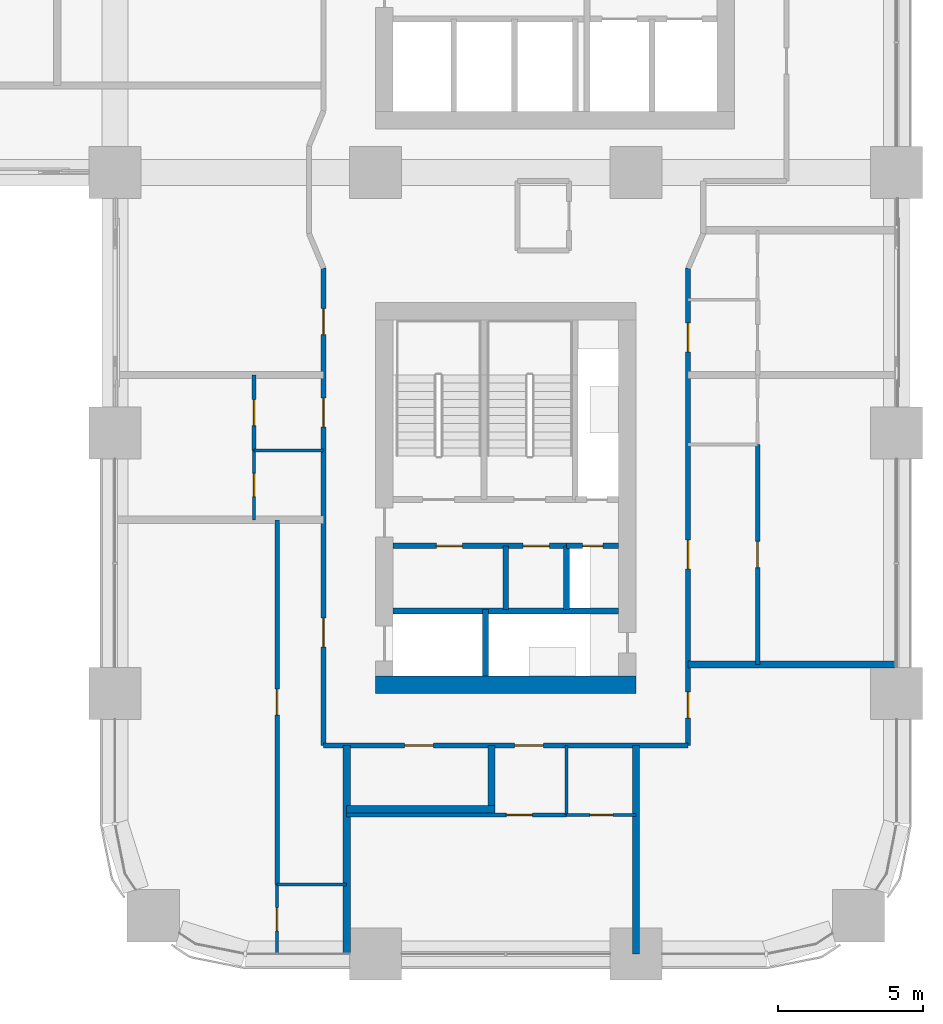
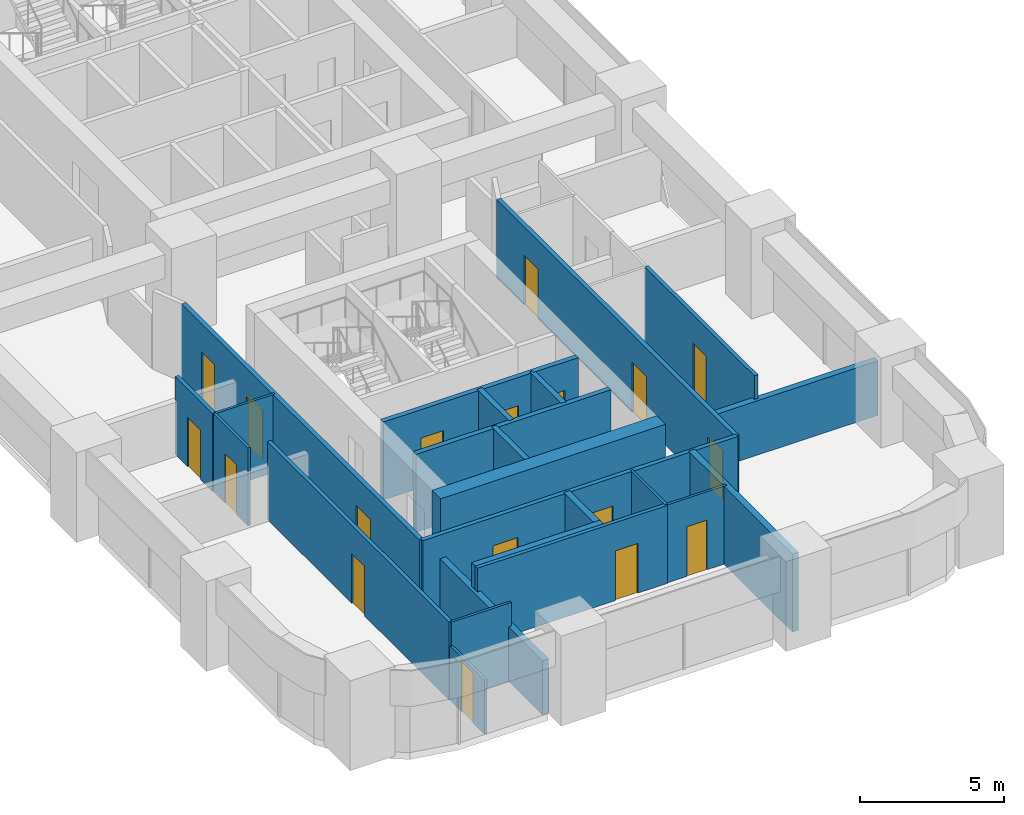
# One storey, part 13 of 20: 25 walls, 18 doors, 18 openings.
"""IFC4 building model written with IfcOpenShell, lengths in metres."""

from ifc_helpers import new_model, si_unit, direction, frame, frame_2d, origin, place, context, subcontext, project, spatial, rectangle, extrude, material, layer, layer_set, type_object, element, fill, save


model = new_model("IFC4")

# Units and contexts
model_context = context("Model", 3, precision=1e-05, world=origin(), true_north=direction((0.0, 1.0)))
body_context = subcontext(model_context, "Body", "Model", "MODEL_VIEW")
ifc_project = project(units=[si_unit("LENGTHUNIT", "METRE"), si_unit("AREAUNIT", "SQUARE_METRE"), si_unit("VOLUMEUNIT", "CUBIC_METRE"), si_unit("PLANEANGLEUNIT", "RADIAN"), si_unit("MASSUNIT", "GRAM", prefix="KILO")], contexts=[model_context])

# Site, building, storey
site_placement = place(None, origin())
site = spatial("IfcSite", under=ifc_project, at=site_placement, CompositionType="ELEMENT")
building_placement = place(site_placement, origin())
building = spatial("IfcBuilding", under=site, at=building_placement, Name="Tessera Arch", CompositionType="ELEMENT")
storey_placement = place(building_placement, frame((0.0, 0.0, 119.60009765625)))
storey = spatial("IfcBuildingStorey", under=building, at=storey_placement, Name="L28", CompositionType="ELEMENT", Elevation=119.60009765625)

# Wall
ifc_material_1 = material(Name="Gypsum board on steel stud", Category="steel")
ifc_layer_1 = layer(ifc_material_1, 0.125)
ifc_layer_set_1 = layer_set([ifc_layer_1], Name="Core partition 125 EI 60")
wall_type_1 = type_object("IfcWallType", Name="Core partition 125 EI 60", PredefinedType="PARTITIONING", material=ifc_layer_set_1)
wall_1_placement = place(storey_placement, frame((40.5, 11.89990234375, 0.0), z_axis=(0.0, 0.0, 1.0), x_axis=(0.0, 1.0, 0.0)))
element("IfcWall", 1, at=wall_1_placement, inside=storey, type_object=wall_type_1, Name="L28 C3 partition wall 4", PredefinedType="PARTITIONING", context=body_context, shape_type="SweptSolid", body=[
    extrude(rectangle(XDim=2.2001953125, YDim=0.199951171875, at=frame_2d((1.10009765625, 0.0))), origin(), (0.0, 0.0, 1.0), 3.2998046875),
])

# Wall, openings, doors
wall_2_placement = place(storey_placement, frame((36.60009765625, 14.10009765625, 0.0), z_axis=(0.0, 0.0, 1.0), x_axis=(1.0, 0.0, 0.0)))
wall_2 = element("IfcWall", 2, at=wall_2_placement, inside=storey, type_object=wall_type_1, Name="L28 C3 partition wall 9", PredefinedType="PARTITIONING", context=body_context, shape_type="SweptSolid", body=[
    extrude(rectangle(XDim=6.0, YDim=0.199951171875, at=frame_2d((3.0, 0.0))), origin(), (0.0, 0.0, 1.0), 3.2998046875),
])
opening_1_placement = place(wall_2_placement, frame((1.5, 0.0, 0.0)))
opening_1 = element("IfcOpeningElement", 3, at=opening_1_placement, cuts=wall_2, Name="Opening L28-C40", PredefinedType="OPENING", context=body_context, shape_type="SweptSolid", body=[
    extrude(rectangle(XDim=0.89990234375, YDim=2.10009765625, at=frame_2d((0.449951171875, 1.050048828125))), frame((0.0, 0.10986328125, 0.0), z_axis=(0.0, -1.0, 0.0), x_axis=(1.0, 0.0, 0.0)), (0.0, 0.0, 1.0), 0.219970703125),
])
opening_2_placement = place(wall_2_placement, frame((4.5, 0.0, 0.0)))
opening_2 = element("IfcOpeningElement", 4, at=opening_2_placement, cuts=wall_2, Name="Opening L28-C41", PredefinedType="OPENING", context=body_context, shape_type="SweptSolid", body=[
    extrude(rectangle(XDim=0.89990234375, YDim=2.10009765625, at=frame_2d((0.449951171875, 1.050048828125))), frame((0.0, 0.10986328125, 0.0), z_axis=(0.0, -1.0, 0.0), x_axis=(1.0, 0.0, 0.0)), (0.0, 0.0, 1.0), 0.219970703125),
])
ifc_material_2 = material(Name="Steel door leaf", Category="steel")
door_type_1 = type_object("IfcDoorType", Name="Store door FD30S 900 x 2100", OperationType="SINGLE_SWING_LEFT", PredefinedType="DOOR", material=ifc_material_2)
door_1_placement = place(opening_1_placement, origin())
door_1 = element("IfcDoor", 5, at=door_1_placement, inside=storey, type_object=door_type_1, Name="L28 C3 door 8 C40 type D09", OperationType="SINGLE_SWING_LEFT", OverallHeight=2.10009765625, OverallWidth=0.89990234375, PredefinedType="DOOR", context=body_context, shape_type="SweptSolid", body=[
    extrude(rectangle(XDim=0.89990234375, YDim=2.10009765625, at=frame_2d((0.449951171875, 1.050048828125))), frame((0.0, 0.02490234375, 0.0), z_axis=(0.0, -1.0, 0.0), x_axis=(1.0, 0.0, 0.0)), (0.0, 0.0, 1.0), 0.050048828125),
])
fill(opening_1, door_1)
door_2_placement = place(opening_2_placement, origin())
door_2 = element("IfcDoor", 6, at=door_2_placement, inside=storey, type_object=door_type_1, Name="L28 C3 door 9 C41 type D09", OperationType="SINGLE_SWING_RIGHT", OverallHeight=2.10009765625, OverallWidth=0.89990234375, PredefinedType="DOOR", context=body_context, shape_type="SweptSolid", body=[
    extrude(rectangle(XDim=0.89990234375, YDim=2.10009765625, at=frame_2d((0.449951171875, 1.050048828125))), frame((0.0, 0.02490234375, 0.0), z_axis=(0.0, -1.0, 0.0), x_axis=(1.0, 0.0, 0.0)), (0.0, 0.0, 1.0), 0.050048828125),
])
fill(opening_2, door_2)

# Wall
ifc_material_3 = material(Name="Concrete C70/85", Category="concrete")
ifc_layer_2 = layer(ifc_material_3, 0.60009765625)
ifc_layer_set_2 = layer_set([ifc_layer_2], Name="Core shell wall 600 C70-85")
wall_type_2 = type_object("IfcWallType", Name="Core shell wall 600 C70-85", PredefinedType="SHEAR", material=ifc_layer_set_2)
wall_3_placement = place(storey_placement, frame((36.0, 9.300048828125, 0.0), z_axis=(0.0, 0.0, 1.0), x_axis=(1.0, 0.0, 0.0)))
element("IfcWall", 7, at=wall_3_placement, inside=storey, type_object=wall_type_2, Name="L28 C3 core wall S", PredefinedType="SHEAR", context=body_context, shape_type="SweptSolid", body=[
    extrude(rectangle(XDim=9.0, YDim=0.60009765625, at=frame_2d((4.5, 0.0))), origin(), (0.0, 0.0, 1.0), 3.2998046875),
])

# Wall, openings, doors
ifc_material_4 = material(Name="Gypsum board on deep steel stud with mineral wool", Category="steel")
ifc_layer_3 = layer(ifc_material_4, 0.175048828125)
ifc_layer_set_3 = layer_set([ifc_layer_3], Name="Corridor wall 175 EI 60")
wall_type_3 = type_object("IfcWallType", Name="Corridor wall 175 EI 60", PredefinedType="PARTITIONING", material=ifc_layer_set_3)
wall_4_placement = place(storey_placement, frame((34.199951171875, 7.199951171875, 0.0), z_axis=(0.0, 0.0, 1.0), x_axis=(1.0, 0.0, 0.0)))
wall_4 = element("IfcWall", 8, at=wall_4_placement, inside=storey, type_object=wall_type_3, Name="L28 partition 1", PredefinedType="PARTITIONING", context=body_context, shape_type="SweptSolid", body=[
    extrude(rectangle(XDim=12.60009765625, YDim=0.175048828125, at=frame_2d((6.300048828125, 0.0))), origin(), (0.0, 0.0, 1.0), 3.2998046875),
])
opening_3_placement = place(wall_4_placement, frame((6.60009765625, 0.0, 0.0)))
opening_3 = element("IfcOpeningElement", 9, at=opening_3_placement, cuts=wall_4, Name="Opening L28-D001", PredefinedType="OPENING", context=body_context, shape_type="SweptSolid", body=[
    extrude(rectangle(XDim=1.0, YDim=2.10009765625, at=frame_2d((0.5, 1.050048828125))), frame((0.0, 0.097412109375, 0.0), z_axis=(0.0, -1.0, 0.0), x_axis=(1.0, 0.0, 0.0)), (0.0, 0.0, 1.0), 0.195068359375),
])
opening_4_placement = place(wall_4_placement, frame((2.800048828125, 0.0, 0.0)))
opening_4 = element("IfcOpeningElement", 10, at=opening_4_placement, cuts=wall_4, Name="Opening L28-D005", PredefinedType="OPENING", context=body_context, shape_type="SweptSolid", body=[
    extrude(rectangle(XDim=1.0, YDim=2.10009765625, at=frame_2d((0.5, 1.050048828125))), frame((0.0, 0.097412109375, 0.0), z_axis=(0.0, -1.0, 0.0), x_axis=(1.0, 0.0, 0.0)), (0.0, 0.0, 1.0), 0.195068359375),
])
ifc_material_5 = material(Name="Fire-rated door leaf")
door_type_2 = type_object("IfcDoorType", Name="Entrance door FD30S 1000 x 2100", OperationType="SINGLE_SWING_LEFT", PredefinedType="DOOR", material=ifc_material_5)
door_3_placement = place(opening_3_placement, origin())
door_3 = element("IfcDoor", 11, at=door_3_placement, inside=storey, type_object=door_type_2, Name="L28 door D001 type D03", OperationType="SINGLE_SWING_RIGHT", OverallHeight=2.10009765625, OverallWidth=1.0, PredefinedType="DOOR", context=body_context, shape_type="SweptSolid", body=[
    extrude(rectangle(XDim=1.0, YDim=2.10009765625, at=frame_2d((0.5, 1.050048828125))), frame((0.0, 0.02490234375, 0.0), z_axis=(0.0, -1.0, 0.0), x_axis=(1.0, 0.0, 0.0)), (0.0, 0.0, 1.0), 0.050048828125),
])
fill(opening_3, door_3)
door_4_placement = place(opening_4_placement, origin())
door_4 = element("IfcDoor", 12, at=door_4_placement, inside=storey, type_object=door_type_2, Name="L28 door D005 type D03", OperationType="SINGLE_SWING_RIGHT", OverallHeight=2.10009765625, OverallWidth=1.0, PredefinedType="DOOR", context=body_context, shape_type="SweptSolid", body=[
    extrude(rectangle(XDim=1.0, YDim=2.10009765625, at=frame_2d((0.5, 1.050048828125))), frame((0.0, 0.02490234375, 0.0), z_axis=(0.0, -1.0, 0.0), x_axis=(1.0, 0.0, 0.0)), (0.0, 0.0, 1.0), 0.050048828125),
])
fill(opening_4, door_4)

wall_5_placement = place(storey_placement, frame((34.199951171875, 7.199951171875, 0.0), z_axis=(0.0, 0.0, 1.0), x_axis=(0.0, 1.0, 0.0)))
wall_5 = element("IfcWall", 13, at=wall_5_placement, inside=storey, type_object=wall_type_3, Name="L28 partition 15", PredefinedType="PARTITIONING", context=body_context, shape_type="SweptSolid", body=[
    extrude(rectangle(XDim=16.489990234375, YDim=0.175048828125, at=frame_2d((8.2451171875, 0.0))), origin(), (0.0, 0.0, 1.0), 3.2998046875),
])
opening_5_placement = place(wall_5_placement, frame((3.39990234375, 0.0, 0.0)))
opening_5 = element("IfcOpeningElement", 14, at=opening_5_placement, cuts=wall_5, Name="Opening L28-D006", PredefinedType="OPENING", context=body_context, shape_type="SweptSolid", body=[
    extrude(rectangle(XDim=1.0, YDim=2.10009765625, at=frame_2d((0.5, 1.050048828125))), frame((0.0, 0.097412109375, 0.0), z_axis=(0.0, -1.0, 0.0), x_axis=(1.0, 0.0, 0.0)), (0.0, 0.0, 1.0), 0.195068359375),
])
opening_6_placement = place(wall_5_placement, frame((11.0, 0.0, 0.0)))
opening_6 = element("IfcOpeningElement", 15, at=opening_6_placement, cuts=wall_5, Name="Opening L28-D012", PredefinedType="OPENING", context=body_context, shape_type="SweptSolid", body=[
    extrude(rectangle(XDim=1.0, YDim=2.10009765625, at=frame_2d((0.5, 1.050048828125))), frame((0.0, 0.097412109375, 0.0), z_axis=(0.0, -1.0, 0.0), x_axis=(1.0, 0.0, 0.0)), (0.0, 0.0, 1.0), 0.195068359375),
])
opening_7_placement = place(wall_5_placement, frame((14.195068359375, 0.0, 0.0)))
opening_7 = element("IfcOpeningElement", 16, at=opening_7_placement, cuts=wall_5, Name="Opening L28-D019", PredefinedType="OPENING", context=body_context, shape_type="SweptSolid", body=[
    extrude(rectangle(XDim=0.89990234375, YDim=2.10009765625, at=frame_2d((0.449951171875, 1.050048828125))), frame((0.0, 0.097412109375, 0.0), z_axis=(0.0, -1.0, 0.0), x_axis=(1.0, 0.0, 0.0)), (0.0, 0.0, 1.0), 0.195068359375),
])
door_5_placement = place(opening_5_placement, origin())
door_5 = element("IfcDoor", 17, at=door_5_placement, inside=storey, type_object=door_type_2, Name="L28 door D006 type D03", OperationType="SINGLE_SWING_RIGHT", OverallHeight=2.10009765625, OverallWidth=1.0, PredefinedType="DOOR", context=body_context, shape_type="SweptSolid", body=[
    extrude(rectangle(XDim=1.0, YDim=2.10009765625, at=frame_2d((0.5, 1.050048828125))), frame((0.0, 0.02490234375, 0.0), z_axis=(0.0, -1.0, 0.0), x_axis=(1.0, 0.0, 0.0)), (0.0, 0.0, 1.0), 0.050048828125),
])
fill(opening_5, door_5)
door_6_placement = place(opening_6_placement, origin())
door_6 = element("IfcDoor", 18, at=door_6_placement, inside=storey, type_object=door_type_2, Name="L28 door D012 type D03", OperationType="SINGLE_SWING_RIGHT", OverallHeight=2.10009765625, OverallWidth=1.0, PredefinedType="DOOR", context=body_context, shape_type="SweptSolid", body=[
    extrude(rectangle(XDim=1.0, YDim=2.10009765625, at=frame_2d((0.5, 1.050048828125))), frame((0.0, 0.02490234375, 0.0), z_axis=(0.0, -1.0, 0.0), x_axis=(1.0, 0.0, 0.0)), (0.0, 0.0, 1.0), 0.050048828125),
])
fill(opening_6, door_6)
ifc_material_6 = material(Name="Timber door leaf", Category="wood")
door_type_3 = type_object("IfcDoorType", Name="Room door 900 x 2100", OperationType="SINGLE_SWING_LEFT", PredefinedType="DOOR", material=ifc_material_6)
door_7_placement = place(opening_7_placement, origin())
door_7 = element("IfcDoor", 19, at=door_7_placement, inside=storey, type_object=door_type_3, Name="L28 door D019 type D01", OperationType="SINGLE_SWING_LEFT", OverallHeight=2.10009765625, OverallWidth=0.89990234375, PredefinedType="DOOR", context=body_context, shape_type="SweptSolid", body=[
    extrude(rectangle(XDim=0.89990234375, YDim=2.10009765625, at=frame_2d((0.449951171875, 1.050048828125))), frame((0.0, 0.02490234375, 0.0), z_axis=(0.0, -1.0, 0.0), x_axis=(1.0, 0.0, 0.0)), (0.0, 0.0, 1.0), 0.050048828125),
])
fill(opening_7, door_7)

wall_6_placement = place(storey_placement, frame((46.800048828125, 7.199951171875, 0.0), z_axis=(0.0, 0.0, 1.0), x_axis=(0.0, 1.0, 0.0)))
wall_6 = element("IfcWall", 20, at=wall_6_placement, inside=storey, type_object=wall_type_3, Name="L28 partition 20", PredefinedType="PARTITIONING", context=body_context, shape_type="SweptSolid", body=[
    extrude(rectangle(XDim=16.489990234375, YDim=0.175048828125, at=frame_2d((8.2451171875, 0.0))), origin(), (0.0, 0.0, 1.0), 3.2998046875),
])
opening_8_placement = place(wall_6_placement, frame((0.949951171875, 0.0, 0.0)))
opening_8 = element("IfcOpeningElement", 21, at=opening_8_placement, cuts=wall_6, Name="Opening L28-D004", PredefinedType="OPENING", context=body_context, shape_type="SweptSolid", body=[
    extrude(rectangle(XDim=0.89990234375, YDim=2.10009765625, at=frame_2d((0.449951171875, 1.050048828125))), frame((0.0, 0.097412109375, 0.0), z_axis=(0.0, -1.0, 0.0), x_axis=(1.0, 0.0, 0.0)), (0.0, 0.0, 1.0), 0.195068359375),
])
opening_9_placement = place(wall_6_placement, frame((6.10009765625, 0.0, 0.0)))
opening_9 = element("IfcOpeningElement", 22, at=opening_9_placement, cuts=wall_6, Name="Opening L28-D009", PredefinedType="OPENING", context=body_context, shape_type="SweptSolid", body=[
    extrude(rectangle(XDim=1.0, YDim=2.10009765625, at=frame_2d((0.5, 1.050048828125))), frame((0.0, 0.097412109375, 0.0), z_axis=(0.0, -1.0, 0.0), x_axis=(1.0, 0.0, 0.0)), (0.0, 0.0, 1.0), 0.195068359375),
])
opening_10_placement = place(wall_6_placement, frame((13.60009765625, 0.0, 0.0)))
opening_10 = element("IfcOpeningElement", 23, at=opening_10_placement, cuts=wall_6, Name="Opening L28-D015", PredefinedType="OPENING", context=body_context, shape_type="SweptSolid", body=[
    extrude(rectangle(XDim=1.0, YDim=2.10009765625, at=frame_2d((0.5, 1.050048828125))), frame((0.0, 0.097412109375, 0.0), z_axis=(0.0, -1.0, 0.0), x_axis=(1.0, 0.0, 0.0)), (0.0, 0.0, 1.0), 0.195068359375),
])
door_8_placement = place(opening_9_placement, origin())
door_8 = element("IfcDoor", 24, at=door_8_placement, inside=storey, type_object=door_type_2, Name="L28 door D009 type D03", OperationType="SINGLE_SWING_RIGHT", OverallHeight=2.10009765625, OverallWidth=1.0, PredefinedType="DOOR", context=body_context, shape_type="SweptSolid", body=[
    extrude(rectangle(XDim=1.0, YDim=2.10009765625, at=frame_2d((0.5, 1.050048828125))), frame((0.0, 0.02490234375, 0.0), z_axis=(0.0, -1.0, 0.0), x_axis=(1.0, 0.0, 0.0)), (0.0, 0.0, 1.0), 0.050048828125),
])
fill(opening_9, door_8)
door_9_placement = place(opening_10_placement, origin())
door_9 = element("IfcDoor", 25, at=door_9_placement, inside=storey, type_object=door_type_2, Name="L28 door D015 type D03", OperationType="SINGLE_SWING_RIGHT", OverallHeight=2.10009765625, OverallWidth=1.0, PredefinedType="DOOR", context=body_context, shape_type="SweptSolid", body=[
    extrude(rectangle(XDim=1.0, YDim=2.10009765625, at=frame_2d((0.5, 1.050048828125))), frame((0.0, 0.02490234375, 0.0), z_axis=(0.0, -1.0, 0.0), x_axis=(1.0, 0.0, 0.0)), (0.0, 0.0, 1.0), 0.050048828125),
])
fill(opening_10, door_9)
door_10_placement = place(opening_8_placement, origin())
door_10 = element("IfcDoor", 26, at=door_10_placement, inside=storey, type_object=door_type_3, Name="L28 door D004 type D01", OperationType="SINGLE_SWING_LEFT", OverallHeight=2.10009765625, OverallWidth=0.89990234375, PredefinedType="DOOR", context=body_context, shape_type="SweptSolid", body=[
    extrude(rectangle(XDim=0.89990234375, YDim=2.10009765625, at=frame_2d((0.449951171875, 1.050048828125))), frame((0.0, 0.02490234375, 0.0), z_axis=(0.0, -1.0, 0.0), x_axis=(1.0, 0.0, 0.0)), (0.0, 0.0, 1.0), 0.050048828125),
])
fill(opening_8, door_10)

# Wall, opening, door
ifc_material_7 = material(Name="Gypsum board on steel stud", Category="steel")
ifc_layer_4 = layer(ifc_material_7, 0.14990234375)
ifc_layer_set_4 = layer_set([ifc_layer_4], Name="Partition 150")
wall_type_4 = type_object("IfcWallType", Name="Partition 150", PredefinedType="PARTITIONING", material=ifc_layer_set_4)
wall_7_placement = place(storey_placement, frame((35.0, 4.800048828125, 0.0), z_axis=(0.0, 0.0, 1.0), x_axis=(1.0, 0.0, 0.0)))
wall_7 = element("IfcWall", 27, at=wall_7_placement, inside=storey, type_object=wall_type_4, Name="L28 partition 23", PredefinedType="PARTITIONING", context=body_context, shape_type="SweptSolid", body=[
    extrude(rectangle(XDim=7.60009765625, YDim=0.14990234375, at=frame_2d((3.800048828125, 0.0))), origin(), (0.0, 0.0, 1.0), 3.2998046875),
])
opening_11_placement = place(wall_7_placement, frame((5.52001953125, 0.0, 0.0)))
opening_11 = element("IfcOpeningElement", 28, at=opening_11_placement, cuts=wall_7, Name="Opening L28-D002", PredefinedType="OPENING", context=body_context, shape_type="SweptSolid", body=[
    extrude(rectangle(XDim=0.89990234375, YDim=2.10009765625, at=frame_2d((0.449951171875, 1.050048828125))), frame((0.0, 0.0849609375, 0.0), z_axis=(0.0, -1.0, 0.0), x_axis=(1.0, 0.0, 0.0)), (0.0, 0.0, 1.0), 0.169921875),
])
door_11_placement = place(opening_11_placement, origin())
door_11 = element("IfcDoor", 29, at=door_11_placement, inside=storey, type_object=door_type_3, Name="L28 door D002 type D01", OperationType="SINGLE_SWING_LEFT", OverallHeight=2.10009765625, OverallWidth=0.89990234375, PredefinedType="DOOR", context=body_context, shape_type="SweptSolid", body=[
    extrude(rectangle(XDim=0.89990234375, YDim=2.10009765625, at=frame_2d((0.449951171875, 1.050048828125))), frame((0.0, 0.02490234375, 0.0), z_axis=(0.0, -1.0, 0.0), x_axis=(1.0, 0.0, 0.0)), (0.0, 0.0, 1.0), 0.050048828125),
])
fill(opening_11, door_11)

wall_8_placement = place(storey_placement, frame((31.800048828125, 17.39990234375, 0.0), z_axis=(0.0, 0.0, 1.0), x_axis=(0.0, 1.0, 0.0)))
wall_8 = element("IfcWall", 30, at=wall_8_placement, inside=storey, type_object=wall_type_4, Name="L28 partition 24", PredefinedType="PARTITIONING", context=body_context, shape_type="SweptSolid", body=[
    extrude(rectangle(XDim=2.60009765625, YDim=0.14990234375, at=frame_2d((1.300048828125, 0.0))), origin(), (0.0, 0.0, 1.0), 3.2998046875),
])
opening_12_placement = place(wall_8_placement, frame((0.85009765625, 0.0, 0.0)))
opening_12 = element("IfcOpeningElement", 31, at=opening_12_placement, cuts=wall_8, Name="Opening L28-D013", PredefinedType="OPENING", context=body_context, shape_type="SweptSolid", body=[
    extrude(rectangle(XDim=0.89990234375, YDim=2.10009765625, at=frame_2d((0.449951171875, 1.050048828125))), frame((0.0, 0.0849609375, 0.0), z_axis=(0.0, -1.0, 0.0), x_axis=(1.0, 0.0, 0.0)), (0.0, 0.0, 1.0), 0.169921875),
])
door_12_placement = place(opening_12_placement, origin())
door_12 = element("IfcDoor", 32, at=door_12_placement, inside=storey, type_object=door_type_3, Name="L28 door D013 type D01", OperationType="SINGLE_SWING_LEFT", OverallHeight=2.10009765625, OverallWidth=0.89990234375, PredefinedType="DOOR", context=body_context, shape_type="SweptSolid", body=[
    extrude(rectangle(XDim=0.89990234375, YDim=2.10009765625, at=frame_2d((0.449951171875, 1.050048828125))), frame((0.0, 0.02490234375, 0.0), z_axis=(0.0, -1.0, 0.0), x_axis=(1.0, 0.0, 0.0)), (0.0, 0.0, 1.0), 0.050048828125),
])
fill(opening_12, door_12)

wall_9_placement = place(storey_placement, frame((32.60009765625, 2.39990234375, 0.0), z_axis=(0.0, 0.0, 1.0), x_axis=(0.0, 1.0, 0.0)))
wall_9 = element("IfcWall", 33, at=wall_9_placement, inside=storey, type_object=wall_type_4, Name="L28 partition 25", PredefinedType="PARTITIONING", context=body_context, shape_type="SweptSolid", body=[
    extrude(rectangle(XDim=12.60009765625, YDim=0.14990234375, at=frame_2d((6.300048828125, 0.0))), origin(), (0.0, 0.0, 1.0), 3.2998046875),
])
opening_13_placement = place(wall_9_placement, frame((5.85009765625, 0.0, 0.0)))
opening_13 = element("IfcOpeningElement", 34, at=opening_13_placement, cuts=wall_9, Name="Opening L28-D007", PredefinedType="OPENING", context=body_context, shape_type="SweptSolid", body=[
    extrude(rectangle(XDim=0.89990234375, YDim=2.10009765625, at=frame_2d((0.449951171875, 1.050048828125))), frame((0.0, 0.0849609375, 0.0), z_axis=(0.0, -1.0, 0.0), x_axis=(1.0, 0.0, 0.0)), (0.0, 0.0, 1.0), 0.169921875),
])
door_13_placement = place(opening_13_placement, origin())
door_13 = element("IfcDoor", 35, at=door_13_placement, inside=storey, type_object=door_type_3, Name="L28 door D007 type D01", OperationType="SINGLE_SWING_LEFT", OverallHeight=2.10009765625, OverallWidth=0.89990234375, PredefinedType="DOOR", context=body_context, shape_type="SweptSolid", body=[
    extrude(rectangle(XDim=0.89990234375, YDim=2.10009765625, at=frame_2d((0.449951171875, 1.050048828125))), frame((0.0, 0.02490234375, 0.0), z_axis=(0.0, -1.0, 0.0), x_axis=(1.0, 0.0, 0.0)), (0.0, 0.0, 1.0), 0.050048828125),
])
fill(opening_13, door_13)

wall_10_placement = place(storey_placement, frame((49.199951171875, 10.0, 0.0), z_axis=(0.0, 0.0, 1.0), x_axis=(0.0, 1.0, 0.0)))
wall_10 = element("IfcWall", 36, at=wall_10_placement, inside=storey, type_object=wall_type_4, Name="L28 partition 26", PredefinedType="PARTITIONING", context=body_context, shape_type="SweptSolid", body=[
    extrude(rectangle(XDim=7.60009765625, YDim=0.14990234375, at=frame_2d((3.800048828125, 0.0))), origin(), (0.0, 0.0, 1.0), 3.2998046875),
])
opening_14_placement = place(wall_10_placement, frame((3.35009765625, 0.0, 0.0)))
opening_14 = element("IfcOpeningElement", 37, at=opening_14_placement, cuts=wall_10, Name="Opening L28-D010", PredefinedType="OPENING", context=body_context, shape_type="SweptSolid", body=[
    extrude(rectangle(XDim=0.89990234375, YDim=2.10009765625, at=frame_2d((0.449951171875, 1.050048828125))), frame((0.0, 0.0849609375, 0.0), z_axis=(0.0, -1.0, 0.0), x_axis=(1.0, 0.0, 0.0)), (0.0, 0.0, 1.0), 0.169921875),
])
door_14_placement = place(opening_14_placement, origin())
door_14 = element("IfcDoor", 38, at=door_14_placement, inside=storey, type_object=door_type_3, Name="L28 door D010 type D01", OperationType="SINGLE_SWING_LEFT", OverallHeight=2.10009765625, OverallWidth=0.89990234375, PredefinedType="DOOR", context=body_context, shape_type="SweptSolid", body=[
    extrude(rectangle(XDim=0.89990234375, YDim=2.10009765625, at=frame_2d((0.449951171875, 1.050048828125))), frame((0.0, 0.02490234375, 0.0), z_axis=(0.0, -1.0, 0.0), x_axis=(1.0, 0.0, 0.0)), (0.0, 0.0, 1.0), 0.050048828125),
])
fill(opening_14, door_14)

# Walls
ifc_material_8 = material(Name="Double gypsum board on twin steel stud with acoustic mineral wool", Category="steel")
ifc_layer_5 = layer(ifc_material_8, 0.25)
ifc_layer_set_5 = layer_set([ifc_layer_5], Name="Party wall 250 EI 60")
wall_type_5 = type_object("IfcWallType", Name="Party wall 250 EI 60", PredefinedType="PARTITIONING", material=ifc_layer_set_5)
wall_11_placement = place(storey_placement, frame((35.0, 5.0, 0.0), z_axis=(0.0, 0.0, 1.0), x_axis=(1.0, 0.0, 0.0)))
element("IfcWall", 39, at=wall_11_placement, inside=storey, type_object=wall_type_5, Name="L28 partition 28", PredefinedType="PARTITIONING", context=body_context, shape_type="SweptSolid", body=[
    extrude(rectangle(XDim=5.125, YDim=0.25, at=frame_2d((2.5625, 0.0))), origin(), (0.0, 0.0, 1.0), 3.2998046875),
])
for number, where, z_axis, x_axis, name in (
    (40, (46.800048828125, 10.0, 0.0), (0.0, 0.0, 1.0), (1.0, 0.0, 0.0), "L28 partition 29"),
    (41, (35.0, 0.0, 0.0), (0.0, 0.0, 1.0), (0.0, 1.0, 0.0), "L28 partition 47"),
):
    element("IfcWall", number, at=place(storey_placement, frame(where, z_axis=z_axis, x_axis=x_axis)), inside=storey, type_object=wall_type_5, Name=name, PredefinedType="PARTITIONING", context=body_context, shape_type="SweptSolid", body=[
        extrude(rectangle(XDim=7.199951171875, YDim=0.25, at=frame_2d((3.60009765625, 0.0))), origin(), (0.0, 0.0, 1.0), 2.2998046875),
    ])
wall_12_placement = place(storey_placement, frame((40.0, 5.125, 0.0), z_axis=(0.0, 0.0, 1.0), x_axis=(0.0, 1.0, 0.0)))
element("IfcWall", 42, at=wall_12_placement, inside=storey, type_object=wall_type_5, Name="L28 partition 49", PredefinedType="PARTITIONING", context=body_context, shape_type="SweptSolid", body=[
    extrude(rectangle(XDim=2.074951171875, YDim=0.25, at=frame_2d((1.03759765625, 0.0))), origin(), (0.0, 0.0, 1.0), 3.2998046875),
])
wall_13_placement = place(storey_placement, frame((45.0, 0.0, 0.0), z_axis=(0.0, 0.0, 1.0), x_axis=(0.0, 1.0, 0.0)))
element("IfcWall", 43, at=wall_13_placement, inside=storey, type_object=wall_type_5, Name="L28 partition 50", PredefinedType="PARTITIONING", context=body_context, shape_type="SweptSolid", body=[
    extrude(rectangle(XDim=7.199951171875, YDim=0.25, at=frame_2d((3.60009765625, 0.0))), origin(), (0.0, 0.0, 1.0), 3.2998046875),
])
ifc_material_9 = material(Name="Concrete C40/50", Category="concrete")
ifc_layer_6 = layer(ifc_material_9, 0.199951171875)
ifc_layer_set_6 = layer_set([ifc_layer_6], Name="Shaft wall 200 EI 120")
wall_type_6 = type_object("IfcWallType", Name="Shaft wall 200 EI 120", PredefinedType="SOLIDWALL", material=ifc_layer_set_6)
wall_14_placement = place(storey_placement, frame((39.800048828125, 9.60009765625, 0.0), z_axis=(0.0, 0.0, 1.0), x_axis=(0.0, 1.0, 0.0)))
element("IfcWall", 44, at=wall_14_placement, inside=storey, type_object=wall_type_6, Name="L28 C3 shaft wall 3", PredefinedType="SOLIDWALL", context=body_context, shape_type="SweptSolid", body=[
    extrude(rectangle(XDim=2.2998046875, YDim=0.199951171875, at=frame_2d((1.14990234375, 0.0))), origin(), (0.0, 0.0, 1.0), 3.2998046875),
])
wall_15_placement = place(storey_placement, frame((42.60009765625, 11.89990234375, 0.0), z_axis=(0.0, 0.0, 1.0), x_axis=(0.0, 1.0, 0.0)))
element("IfcWall", 45, at=wall_15_placement, inside=storey, type_object=wall_type_6, Name="L28 C3 shaft wall 5", PredefinedType="SOLIDWALL", context=body_context, shape_type="SweptSolid", body=[
    extrude(rectangle(XDim=2.2001953125, YDim=0.199951171875, at=frame_2d((1.10009765625, 0.0))), origin(), (0.0, 0.0, 1.0), 3.2998046875),
])
wall_16_placement = place(storey_placement, frame((36.60009765625, 11.85009765625, 0.0), z_axis=(0.0, 0.0, 1.0), x_axis=(1.0, 0.0, 0.0)))
element("IfcWall", 46, at=wall_16_placement, inside=storey, type_object=wall_type_6, Name="L28 C3 shaft wall 8", PredefinedType="SOLIDWALL", context=body_context, shape_type="SweptSolid", body=[
    extrude(rectangle(XDim=7.7998046875, YDim=0.199951171875, at=frame_2d((3.89990234375, 0.0))), origin(), (0.0, 0.0, 1.0), 3.2998046875),
])

# Wall, opening, door
wall_17_placement = place(storey_placement, frame((42.60009765625, 14.10009765625, 0.0), z_axis=(0.0, 0.0, 1.0), x_axis=(1.0, 0.0, 0.0)))
wall_17 = element("IfcWall", 47, at=wall_17_placement, inside=storey, type_object=wall_type_6, Name="L28 C3 shaft wall 10", PredefinedType="SOLIDWALL", context=body_context, shape_type="SweptSolid", body=[
    extrude(rectangle(XDim=1.7998046875, YDim=0.199951171875, at=frame_2d((0.89990234375, 0.0))), origin(), (0.0, 0.0, 1.0), 3.2998046875),
])
opening_15_placement = place(wall_17_placement, frame((0.550048828125, 0.0, 0.0)))
opening_15 = element("IfcOpeningElement", 48, at=opening_15_placement, cuts=wall_17, Name="Opening L28-C37", PredefinedType="OPENING", context=body_context, shape_type="SweptSolid", body=[
    extrude(rectangle(XDim=0.699951171875, YDim=2.10009765625, at=frame_2d((0.35009765625, 1.050048828125))), frame((0.0, 0.10986328125, 0.0), z_axis=(0.0, -1.0, 0.0), x_axis=(1.0, 0.0, 0.0)), (0.0, 0.0, 1.0), 0.219970703125),
])
ifc_material_10 = material(Name="Steel door leaf", Category="steel")
door_type_4 = type_object("IfcDoorType", Name="Service shaft door FD60 700 x 2100", OperationType="SINGLE_SWING_LEFT", PredefinedType="DOOR", material=ifc_material_10)
door_15_placement = place(opening_15_placement, origin())
door_15 = element("IfcDoor", 49, at=door_15_placement, inside=storey, type_object=door_type_4, Name="L28 C3 door 5 C37 type D07", OperationType="SINGLE_SWING_RIGHT", OverallHeight=2.10009765625, OverallWidth=0.699951171875, PredefinedType="DOOR", context=body_context, shape_type="SweptSolid", body=[
    extrude(rectangle(XDim=0.699951171875, YDim=2.10009765625, at=frame_2d((0.35009765625, 1.050048828125))), frame((0.0, 0.02490234375, 0.0), z_axis=(0.0, -1.0, 0.0), x_axis=(1.0, 0.0, 0.0)), (0.0, 0.0, 1.0), 0.050048828125),
])
fill(opening_15, door_15)

# Wall
ifc_material_11 = material(Name="Moisture-resistant board on pre-plumbed steel stud", Category="steel")
ifc_layer_7 = layer(ifc_material_11, 0.10009765625)
ifc_layer_set_7 = layer_set([ifc_layer_7], Name="Wet wall 100")
wall_type_7 = type_object("IfcWallType", Name="Wet wall 100", PredefinedType="PARTITIONING", material=ifc_layer_set_7)
wall_18_placement = place(storey_placement, frame((32.60009765625, 2.39990234375, 0.0), z_axis=(0.0, 0.0, 1.0), x_axis=(1.0, 0.0, 0.0)))
element("IfcWall", 50, at=wall_18_placement, inside=storey, type_object=wall_type_7, Name="L28 partition 52", PredefinedType="PARTITIONING", context=body_context, shape_type="SweptSolid", body=[
    extrude(rectangle(XDim=2.39990234375, YDim=0.10009765625, at=frame_2d((1.199951171875, 0.0))), origin(), (0.0, 0.0, 1.0), 3.2998046875),
])

# Wall, opening, door
wall_19_placement = place(storey_placement, frame((42.60009765625, 4.800048828125, 0.0), z_axis=(0.0, 0.0, 1.0), x_axis=(1.0, 0.0, 0.0)))
wall_19 = element("IfcWall", 51, at=wall_19_placement, inside=storey, type_object=wall_type_7, Name="L28 partition 53", PredefinedType="PARTITIONING", context=body_context, shape_type="SweptSolid", body=[
    extrude(rectangle(XDim=2.39990234375, YDim=0.10009765625, at=frame_2d((1.199951171875, 0.0))), origin(), (0.0, 0.0, 1.0), 3.2998046875),
])
opening_16_placement = place(wall_19_placement, frame((0.800048828125, 0.0, 0.0)))
opening_16 = element("IfcOpeningElement", 52, at=opening_16_placement, cuts=wall_19, Name="Opening L28-D003", PredefinedType="OPENING", context=body_context, shape_type="SweptSolid", body=[
    extrude(rectangle(XDim=0.800048828125, YDim=2.10009765625, at=frame_2d((0.39990234375, 1.050048828125))), frame((0.0, 0.06005859375, 0.0), z_axis=(0.0, -1.0, 0.0), x_axis=(1.0, 0.0, 0.0)), (0.0, 0.0, 1.0), 0.1201171875),
])
ifc_material_12 = material(Name="Timber door leaf", Category="wood")
door_type_5 = type_object("IfcDoorType", Name="En-suite door 800 x 2100", OperationType="SINGLE_SWING_LEFT", PredefinedType="DOOR", material=ifc_material_12)
door_16_placement = place(opening_16_placement, origin())
door_16 = element("IfcDoor", 53, at=door_16_placement, inside=storey, type_object=door_type_5, Name="L28 door D003 type D02", OperationType="SINGLE_SWING_RIGHT", OverallHeight=2.10009765625, OverallWidth=0.800048828125, PredefinedType="DOOR", context=body_context, shape_type="SweptSolid", body=[
    extrude(rectangle(XDim=0.800048828125, YDim=2.10009765625, at=frame_2d((0.39990234375, 1.050048828125))), frame((0.0, 0.02490234375, 0.0), z_axis=(0.0, -1.0, 0.0), x_axis=(1.0, 0.0, 0.0)), (0.0, 0.0, 1.0), 0.050048828125),
])
fill(opening_16, door_16)

# Wall
wall_20_placement = place(storey_placement, frame((31.800048828125, 17.39990234375, 0.0), z_axis=(0.0, 0.0, 1.0), x_axis=(1.0, 0.0, 0.0)))
element("IfcWall", 54, at=wall_20_placement, inside=storey, type_object=wall_type_7, Name="L28 partition 54", PredefinedType="PARTITIONING", context=body_context, shape_type="SweptSolid", body=[
    extrude(rectangle(XDim=2.39990234375, YDim=0.10009765625, at=frame_2d((1.199951171875, 0.0))), origin(), (0.0, 0.0, 1.0), 3.2998046875),
])

# Wall, opening, door
wall_21_placement = place(storey_placement, frame((31.800048828125, 15.0, 0.0), z_axis=(0.0, 0.0, 1.0), x_axis=(0.0, 1.0, 0.0)))
wall_21 = element("IfcWall", 55, at=wall_21_placement, inside=storey, type_object=wall_type_7, Name="L28 partition 57", PredefinedType="PARTITIONING", context=body_context, shape_type="SweptSolid", body=[
    extrude(rectangle(XDim=2.39990234375, YDim=0.10009765625, at=frame_2d((1.199951171875, 0.0))), origin(), (0.0, 0.0, 1.0), 3.2998046875),
])
opening_17_placement = place(wall_21_placement, frame((0.800048828125, 0.0, 0.0)))
opening_17 = element("IfcOpeningElement", 56, at=opening_17_placement, cuts=wall_21, Name="Opening L28-D014", PredefinedType="OPENING", context=body_context, shape_type="SweptSolid", body=[
    extrude(rectangle(XDim=0.800048828125, YDim=2.10009765625, at=frame_2d((0.39990234375, 1.050048828125))), frame((0.0, 0.06005859375, 0.0), z_axis=(0.0, -1.0, 0.0), x_axis=(1.0, 0.0, 0.0)), (0.0, 0.0, 1.0), 0.1201171875),
])
door_17_placement = place(opening_17_placement, origin())
door_17 = element("IfcDoor", 57, at=door_17_placement, inside=storey, type_object=door_type_5, Name="L28 door D014 type D02", OperationType="SINGLE_SWING_RIGHT", OverallHeight=2.10009765625, OverallWidth=0.800048828125, PredefinedType="DOOR", context=body_context, shape_type="SweptSolid", body=[
    extrude(rectangle(XDim=0.800048828125, YDim=2.10009765625, at=frame_2d((0.39990234375, 1.050048828125))), frame((0.0, 0.02490234375, 0.0), z_axis=(0.0, -1.0, 0.0), x_axis=(1.0, 0.0, 0.0)), (0.0, 0.0, 1.0), 0.050048828125),
])
fill(opening_17, door_17)

wall_22_placement = place(storey_placement, frame((32.60009765625, 0.0, 0.0), z_axis=(0.0, 0.0, 1.0), x_axis=(0.0, 1.0, 0.0)))
wall_22 = element("IfcWall", 58, at=wall_22_placement, inside=storey, type_object=wall_type_7, Name="L28 partition 58", PredefinedType="PARTITIONING", context=body_context, shape_type="SweptSolid", body=[
    extrude(rectangle(XDim=2.39990234375, YDim=0.10009765625, at=frame_2d((1.199951171875, 0.0))), origin(), (0.0, 0.0, 1.0), 2.2998046875),
])
opening_18_placement = place(wall_22_placement, frame((0.800048828125, 0.0, 0.0)))
opening_18 = element("IfcOpeningElement", 59, at=opening_18_placement, cuts=wall_22, Name="Opening L28-D008", PredefinedType="OPENING", context=body_context, shape_type="SweptSolid", body=[
    extrude(rectangle(XDim=0.800048828125, YDim=2.10009765625, at=frame_2d((0.39990234375, 1.050048828125))), frame((0.0, 0.06005859375, 0.0), z_axis=(0.0, -1.0, 0.0), x_axis=(1.0, 0.0, 0.0)), (0.0, 0.0, 1.0), 0.1201171875),
])
door_18_placement = place(opening_18_placement, origin())
door_18 = element("IfcDoor", 60, at=door_18_placement, inside=storey, type_object=door_type_5, Name="L28 door D008 type D02", OperationType="SINGLE_SWING_RIGHT", OverallHeight=2.10009765625, OverallWidth=0.800048828125, PredefinedType="DOOR", context=body_context, shape_type="SweptSolid", body=[
    extrude(rectangle(XDim=0.800048828125, YDim=2.10009765625, at=frame_2d((0.39990234375, 1.050048828125))), frame((0.0, 0.02490234375, 0.0), z_axis=(0.0, -1.0, 0.0), x_axis=(1.0, 0.0, 0.0)), (0.0, 0.0, 1.0), 0.050048828125),
])
fill(opening_18, door_18)

# Wall
wall_23_placement = place(storey_placement, frame((42.60009765625, 4.800048828125, 0.0), z_axis=(0.0, 0.0, 1.0), x_axis=(0.0, 1.0, 0.0)))
element("IfcWall", 61, at=wall_23_placement, inside=storey, type_object=wall_type_7, Name="L28 partition 59", PredefinedType="PARTITIONING", context=body_context, shape_type="SweptSolid", body=[
    extrude(rectangle(XDim=2.39990234375, YDim=0.10009765625, at=frame_2d((1.199951171875, 0.0))), origin(), (0.0, 0.0, 1.0), 3.2998046875),
])

save(model, "model.ifc")
